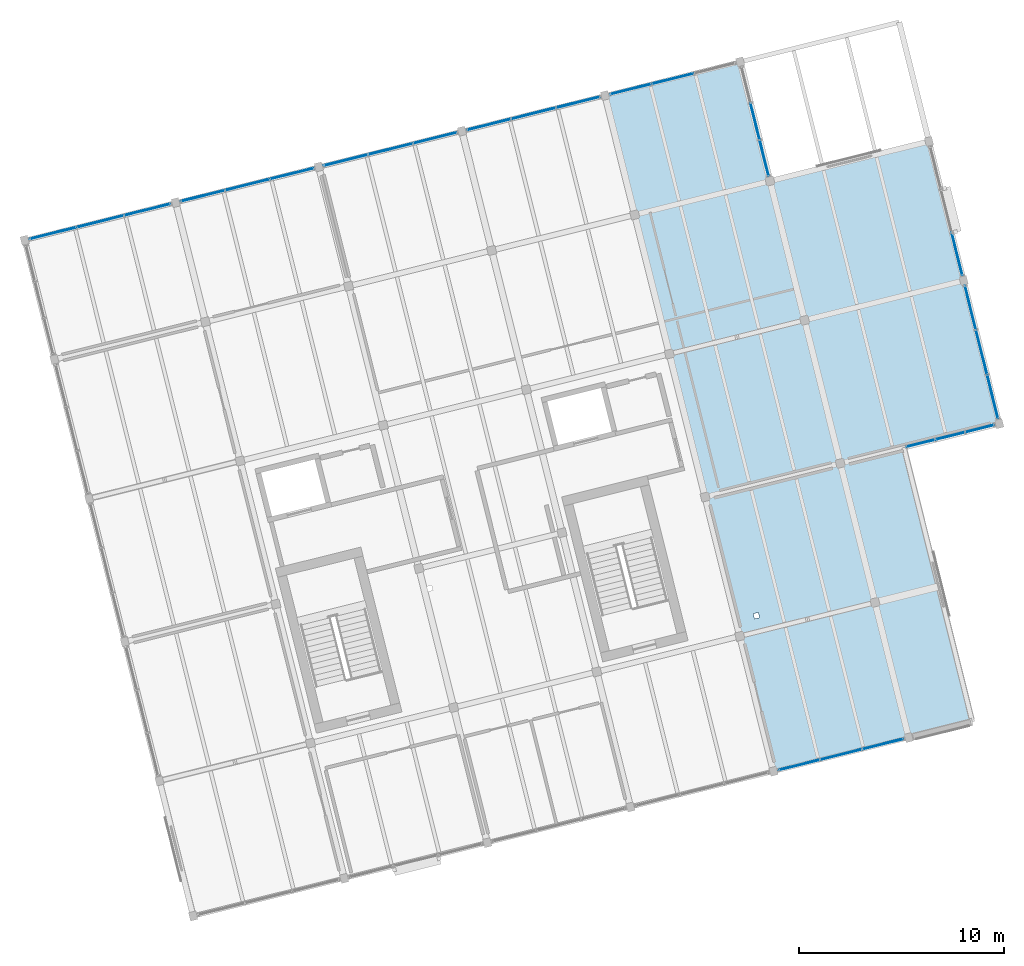
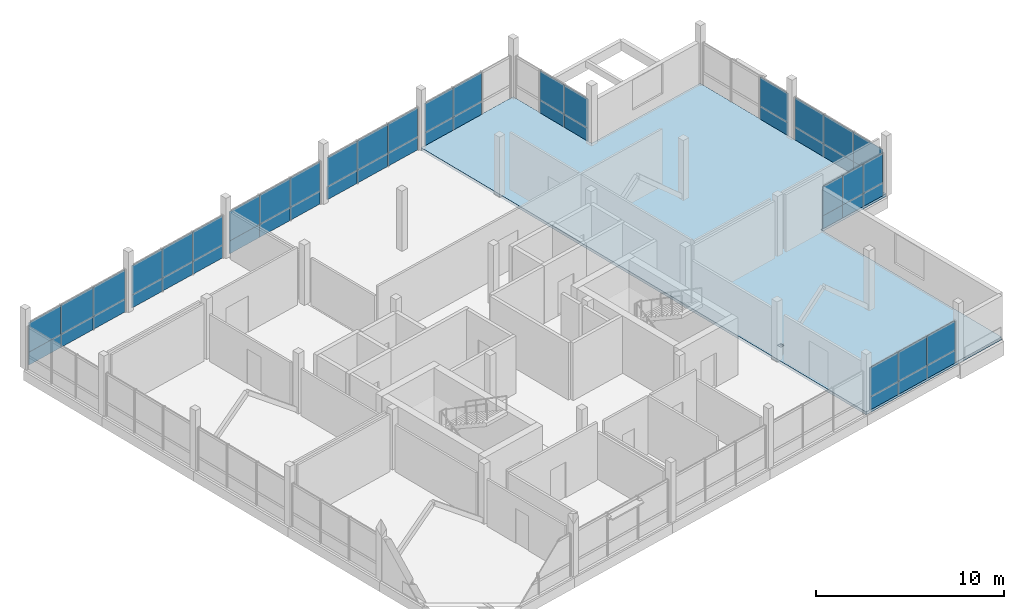
# One storey, part 23 of 27: 52 plates, 1 slab, 10 elements without a shape of their own.
"""IFC4 building model written with IfcOpenShell, lengths in metres."""

from ifc_helpers import new_model, si_unit, direction, frame, origin, origin_2d, place, context, subcontext, project, spatial, polyline, rectangle, outline, extrude, material, layer, layer_set, type_object, element, aggregate, save


model = new_model("IFC4")

# Units and contexts
model_context = context("Model", 3, precision=1e-05, world=origin(), true_north=direction((0.0, 1.0)))
body_context = subcontext(model_context, "Body", "Model", "MODEL_VIEW")
ifc_project = project(units=[si_unit("LENGTHUNIT", "METRE"), si_unit("AREAUNIT", "SQUARE_METRE"), si_unit("VOLUMEUNIT", "CUBIC_METRE"), si_unit("PLANEANGLEUNIT", "RADIAN"), si_unit("MASSUNIT", "GRAM", prefix="KILO")], contexts=[model_context])

# Site, building, storey
site_placement = place(None, origin())
site = spatial("IfcSite", under=ifc_project, at=site_placement, CompositionType="ELEMENT")
building_placement = place(site_placement, origin())
building = spatial("IfcBuilding", under=site, at=building_placement, Name="Meriwether Solvik Hall", CompositionType="ELEMENT")
storey_placement = place(building_placement, frame((0.0, 0.0, 33.89990234375)))
storey = spatial("IfcBuildingStorey", under=building, at=storey_placement, Name="L08", CompositionType="ELEMENT", Elevation=33.89990234375)

# Curtain wall, plates
ifc_material_1 = material(Name="Thermally Broken Anodised Aluminium 6063-T6 and Low-E Glass", Category="aluminium")
ifc_layer_1 = layer(ifc_material_1, 0.179931640625)
ifc_layer_set_1 = layer_set([ifc_layer_1], Name="Thermally Broken Anodised Aluminium 6063-T6 and Low-E Glass")
curtain_wall_type_1 = type_object("IfcCurtainWallType", Name="CW-UNIT-G", PredefinedType="USERDEFINED", material=ifc_layer_set_1)
curtain_wall_1_placement = place(storey_placement, origin())
curtain_wall_1 = element("IfcCurtainWall", 1, at=curtain_wall_1_placement, inside=storey, type_object=curtain_wall_type_1, Name="Curtain Wall E6_B2 (L08)", ObjectType="UNITISED CURTAIN WALL", PredefinedType="USERDEFINED")
ifc_material_2 = material(Name="Low-Emissivity Double-Glazed Laminated Glass", Category="glass")
ifc_layer_2 = layer(ifc_material_2, 0.031982421875)
ifc_layer_set_2 = layer_set([ifc_layer_2], Name="Low-Emissivity Double-Glazed Laminated Glass")
plate_type_1 = type_object("IfcPlateType", Name="PLT-GLZ-180X185", PredefinedType="CURTAIN_PANEL", material=ifc_layer_set_2)
plate_1_placement = place(storey_placement, frame((76.0615234375, 78.101318359375, 0.837158203125), z_axis=(0.0, 0.0, 1.0), x_axis=(0.970295703518, 0.241921986879, 0.0)))
plate_1 = element("IfcPlate", 2, at=plate_1_placement, type_object=plate_type_1, Name="Low-E Vision Glazing Panel 1", PredefinedType="CURTAIN_PANEL", context=body_context, shape_type="SweptSolid", body=[
    extrude(rectangle(XDim=2.2060546875, YDim=0.033935546875, at=origin_2d()), origin(), (0.0, 0.0, 1.0), 1.89306640625),
])
plate_2_placement = place(storey_placement, frame((78.22802734375, 78.641357421875, 0.837158203125), z_axis=(0.0, 0.0, 1.0), x_axis=(0.970295703518, 0.241921986879, 0.0)))
plate_2 = element("IfcPlate", 3, at=plate_2_placement, type_object=plate_type_1, Name="Low-E Vision Glazing Panel 2", PredefinedType="CURTAIN_PANEL", context=body_context, shape_type="SweptSolid", body=[
    extrude(rectangle(XDim=2.243896484375, YDim=0.033935546875, at=origin_2d()), origin(), (0.0, 0.0, 1.0), 1.89306640625),
])
plate_3_placement = place(storey_placement, frame((80.394775390625, 79.181640625, 0.837158203125), z_axis=(0.0, 0.0, 1.0), x_axis=(0.970295703518, 0.241921986879, 0.0)))
plate_3 = element("IfcPlate", 4, at=plate_3_placement, type_object=plate_type_1, Name="Low-E Vision Glazing Panel 3", PredefinedType="CURTAIN_PANEL", context=body_context, shape_type="SweptSolid", body=[
    extrude(rectangle(XDim=2.2060546875, YDim=0.033935546875, at=origin_2d()), origin(), (0.0, 0.0, 1.0), 1.89306640625),
])

# Curtain wall, plate
ifc_material_3 = material(Name="Thermally Broken Anodised Aluminium 6063-T6 and Low-E Glass", Category="aluminium")
ifc_layer_3 = layer(ifc_material_3, 0.179931640625)
ifc_layer_set_3 = layer_set([ifc_layer_3], Name="Thermally Broken Anodised Aluminium 6063-T6 and Low-E Glass")
curtain_wall_type_2 = type_object("IfcCurtainWallType", Name="CW-UNIT-C", PredefinedType="USERDEFINED", material=ifc_layer_set_3)
curtain_wall_2_placement = place(storey_placement, origin())
curtain_wall_2 = element("IfcCurtainWall", 5, at=curtain_wall_2_placement, inside=storey, type_object=curtain_wall_type_2, Name="Curtain Wall E3_B1 (L08)", ObjectType="UNITISED CURTAIN WALL", PredefinedType="USERDEFINED")
ifc_material_4 = material(Name="Low-Emissivity Double-Glazed Laminated Glass", Category="glass")
ifc_layer_4 = layer(ifc_material_4, 0.031982421875)
ifc_layer_set_4 = layer_set([ifc_layer_4], Name="Low-Emissivity Double-Glazed Laminated Glass")
plate_type_2 = type_object("IfcPlateType", Name="PLT-GLZ-195X185", PredefinedType="CURTAIN_PANEL", material=ifc_layer_set_4)
plate_4_placement = place(storey_placement, frame((105.889892578125, 73.514892578125, 0.837158203125), z_axis=(0.0, 0.0, 1.0), x_axis=(0.241921751704, -0.970295762153, 0.0)))
plate_4 = element("IfcPlate", 6, at=plate_4_placement, type_object=plate_type_2, Name="Low-E Vision Glazing Panel 3", PredefinedType="CURTAIN_PANEL", context=body_context, shape_type="SweptSolid", body=[
    extrude(rectangle(XDim=2.139404296875, YDim=0.033935546875, at=origin_2d()), origin(), (0.0, 0.0, 1.0), 1.89306640625),
])

# Curtain wall, plates
ifc_material_5 = material(Name="Thermally Broken Anodised Aluminium 6063-T6 and Low-E Glass", Category="aluminium")
ifc_layer_5 = layer(ifc_material_5, 0.179931640625)
ifc_layer_set_5 = layer_set([ifc_layer_5], Name="Thermally Broken Anodised Aluminium 6063-T6 and Low-E Glass")
curtain_wall_type_3 = type_object("IfcCurtainWallType", Name="CW-UNIT-F", PredefinedType="USERDEFINED", material=ifc_layer_set_5)
curtain_wall_3_placement = place(storey_placement, origin())
curtain_wall_3 = element("IfcCurtainWall", 7, at=curtain_wall_3_placement, inside=storey, type_object=curtain_wall_type_3, Name="Curtain Wall E6_B1 (L08)", ObjectType="UNITISED CURTAIN WALL", PredefinedType="USERDEFINED")
plate_5_placement = place(storey_placement, frame((69.0751953125, 76.359375, 0.837158203125), z_axis=(0.0, 0.0, 1.0), x_axis=(0.970295738259, 0.241921847539, 0.0)))
plate_5 = element("IfcPlate", 8, at=plate_5_placement, type_object=plate_type_2, Name="Low-E Vision Glazing Panel 1", PredefinedType="CURTAIN_PANEL", context=body_context, shape_type="SweptSolid", body=[
    extrude(rectangle(XDim=2.2060546875, YDim=0.033935546875, at=origin_2d()), origin(), (0.0, 0.0, 1.0), 1.89306640625),
])
plate_6_placement = place(storey_placement, frame((71.241943359375, 76.899658203125, 0.837158203125), z_axis=(0.0, 0.0, 1.0), x_axis=(0.970295738259, 0.241921847539, 0.0)))
plate_6 = element("IfcPlate", 9, at=plate_6_placement, type_object=plate_type_2, Name="Low-E Vision Glazing Panel 2", PredefinedType="CURTAIN_PANEL", context=body_context, shape_type="SweptSolid", body=[
    extrude(rectangle(XDim=2.243896484375, YDim=0.033935546875, at=origin_2d()), origin(), (0.0, 0.0, 1.0), 1.89306640625),
])
plate_7_placement = place(storey_placement, frame((73.40869140625, 77.439697265625, 0.837158203125), z_axis=(0.0, 0.0, 1.0), x_axis=(0.970295738259, 0.241921847539, 0.0)))
plate_7 = element("IfcPlate", 10, at=plate_7_placement, type_object=plate_type_2, Name="Low-E Vision Glazing Panel 3", PredefinedType="CURTAIN_PANEL", context=body_context, shape_type="SweptSolid", body=[
    extrude(rectangle(XDim=2.2060546875, YDim=0.033935546875, at=origin_2d()), origin(), (0.0, 0.0, 1.0), 1.89306640625),
])

curtain_wall_4_placement = place(storey_placement, origin())
curtain_wall_4 = element("IfcCurtainWall", 11, at=curtain_wall_4_placement, inside=storey, type_object=curtain_wall_type_2, Name="Curtain Wall E0_B4 (L08)", ObjectType="UNITISED CURTAIN WALL", PredefinedType="USERDEFINED")
ifc_material_6 = material(Name="Low-Emissivity Double-Glazed Laminated Glass", Category="glass")
ifc_layer_6 = layer(ifc_material_6, 0.031982421875)
ifc_layer_set_6 = layer_set([ifc_layer_6], Name="Low-Emissivity Double-Glazed Laminated Glass")
plate_type_3 = type_object("IfcPlateType", Name="PLT-GLZ-210X195", PredefinedType="CURTAIN_PANEL", material=ifc_layer_set_6)
plate_8_placement = place(storey_placement, frame((102.26904296875, 49.5947265625, 0.837158203125), z_axis=(0.0, 0.0, 1.0), x_axis=(-0.97029570448, -0.241921983017, 0.0)))
plate_8 = element("IfcPlate", 12, at=plate_8_placement, type_object=plate_type_3, Name="Low-E Vision Glazing Panel 1", PredefinedType="CURTAIN_PANEL", context=body_context, shape_type="SweptSolid", body=[
    extrude(rectangle(XDim=2.07275390625, YDim=0.033935546875, at=origin_2d()), origin(), (0.0, 0.0, 1.0), 1.89306640625),
])
plate_9_placement = place(storey_placement, frame((100.231689453125, 49.086669921875, 0.837158203125), z_axis=(0.0, 0.0, 1.0), x_axis=(-0.97029570448, -0.241921983017, 0.0)))
plate_9 = element("IfcPlate", 13, at=plate_9_placement, type_object=plate_type_3, Name="Low-E Vision Glazing Panel 2", PredefinedType="CURTAIN_PANEL", context=body_context, shape_type="SweptSolid", body=[
    extrude(rectangle(XDim=2.110595703125, YDim=0.033935546875, at=origin_2d()), origin(), (0.0, 0.0, 1.0), 1.89306640625),
])
plate_10_placement = place(storey_placement, frame((98.1943359375, 48.57861328125, 0.837158203125), z_axis=(0.0, 0.0, 1.0), x_axis=(-0.97029570448, -0.241921983017, 0.0)))
plate_10 = element("IfcPlate", 14, at=plate_10_placement, type_object=plate_type_3, Name="Low-E Vision Glazing Panel 3", PredefinedType="CURTAIN_PANEL", context=body_context, shape_type="SweptSolid", body=[
    extrude(rectangle(XDim=2.07275390625, YDim=0.033935546875, at=origin_2d()), origin(), (0.0, 0.0, 1.0), 1.89306640625),
])

ifc_material_7 = material(Name="Thermally Broken Anodised Aluminium 6063-T6 and Low-E Glass", Category="aluminium")
ifc_layer_7 = layer(ifc_material_7, 0.179931640625)
ifc_layer_set_7 = layer_set([ifc_layer_7], Name="Thermally Broken Anodised Aluminium 6063-T6 and Low-E Glass")
curtain_wall_type_4 = type_object("IfcCurtainWallType", Name="CW-UNIT-A", PredefinedType="USERDEFINED", material=ifc_layer_set_7)
curtain_wall_5_placement = place(storey_placement, origin())
curtain_wall_5 = element("IfcCurtainWall", 15, at=curtain_wall_5_placement, inside=storey, type_object=curtain_wall_type_4, Name="Curtain Wall E2_B0 (L08)", ObjectType="UNITISED CURTAIN WALL", PredefinedType="USERDEFINED")
plate_11_placement = place(storey_placement, frame((106.9931640625, 64.994873046875, 0.837158203125), z_axis=(0.0, 0.0, 1.0), x_axis=(-0.970295707609, -0.241921970469, 0.0)))
plate_11 = element("IfcPlate", 16, at=plate_11_placement, type_object=plate_type_3, Name="Low-E Vision Glazing Panel 1", PredefinedType="CURTAIN_PANEL", context=body_context, shape_type="SweptSolid", body=[
    extrude(rectangle(XDim=1.453369140625, YDim=0.033935546875, at=origin_2d()), origin(), (0.0, 0.0, 1.0), 1.89306640625),
])
plate_12_placement = place(storey_placement, frame((105.556884765625, 64.636962890625, 0.837158203125), z_axis=(0.0, 0.0, 1.0), x_axis=(-0.970295707609, -0.241921970469, 0.0)))
plate_12 = element("IfcPlate", 17, at=plate_12_placement, type_object=plate_type_3, Name="Low-E Vision Glazing Panel 2", PredefinedType="CURTAIN_PANEL", context=body_context, shape_type="SweptSolid", body=[
    extrude(rectangle(XDim=1.4912109375, YDim=0.033935546875, at=origin_2d()), origin(), (0.0, 0.0, 1.0), 1.89306640625),
])
plate_13_placement = place(storey_placement, frame((104.12060546875, 64.27880859375, 0.837158203125), z_axis=(0.0, 0.0, 1.0), x_axis=(-0.970295707609, -0.241921970469, 0.0)))
plate_13 = element("IfcPlate", 18, at=plate_13_placement, type_object=plate_type_3, Name="Low-E Vision Glazing Panel 3", PredefinedType="CURTAIN_PANEL", context=body_context, shape_type="SweptSolid", body=[
    extrude(rectangle(XDim=1.453369140625, YDim=0.033935546875, at=origin_2d()), origin(), (0.0, 0.0, 1.0), 1.89306640625),
])

ifc_material_8 = material(Name="Thermally Broken Anodised Aluminium 6063-T6 and Low-E Glass", Category="aluminium")
ifc_layer_8 = layer(ifc_material_8, 0.179931640625)
ifc_layer_set_8 = layer_set([ifc_layer_8], Name="Thermally Broken Anodised Aluminium 6063-T6 and Low-E Glass")
curtain_wall_type_5 = type_object("IfcCurtainWallType", Name="CW-UNIT-B", PredefinedType="USERDEFINED", material=ifc_layer_set_8)
curtain_wall_6_placement = place(storey_placement, origin())
curtain_wall_6 = element("IfcCurtainWall", 19, at=curtain_wall_6_placement, inside=storey, type_object=curtain_wall_type_5, Name="Curtain Wall E3_B0 (L08)", ObjectType="UNITISED CURTAIN WALL", PredefinedType="USERDEFINED")
plate_14_placement = place(storey_placement, frame((106.54345703125, 70.894287109375, 0.837158203125), z_axis=(0.0, 0.0, 1.0), x_axis=(0.241921847539, -0.970295738259, 0.0)))
plate_14 = element("IfcPlate", 20, at=plate_14_placement, type_object=plate_type_3, Name="Low-E Vision Glazing Panel 1", PredefinedType="CURTAIN_PANEL", context=body_context, shape_type="SweptSolid", body=[
    extrude(rectangle(XDim=2.2060546875, YDim=0.033935546875, at=origin_2d()), origin(), (0.0, 0.0, 1.0), 1.89306640625),
])
plate_15_placement = place(storey_placement, frame((107.08349609375, 68.727783203125, 0.837158203125), z_axis=(0.0, 0.0, 1.0), x_axis=(0.241921847539, -0.970295738259, 0.0)))
plate_15 = element("IfcPlate", 21, at=plate_15_placement, type_object=plate_type_3, Name="Low-E Vision Glazing Panel 2", PredefinedType="CURTAIN_PANEL", context=body_context, shape_type="SweptSolid", body=[
    extrude(rectangle(XDim=2.243896484375, YDim=0.033935546875, at=origin_2d()), origin(), (0.0, 0.0, 1.0), 1.89306640625),
])
plate_16_placement = place(storey_placement, frame((107.623779296875, 66.56103515625, 0.837158203125), z_axis=(0.0, 0.0, 1.0), x_axis=(0.241921847539, -0.970295738259, 0.0)))
plate_16 = element("IfcPlate", 22, at=plate_16_placement, type_object=plate_type_3, Name="Low-E Vision Glazing Panel 3", PredefinedType="CURTAIN_PANEL", context=body_context, shape_type="SweptSolid", body=[
    extrude(rectangle(XDim=2.2060546875, YDim=0.033935546875, at=origin_2d()), origin(), (0.0, 0.0, 1.0), 1.89306640625),
])

ifc_material_9 = material(Name="Thermally Broken Anodised Aluminium 6063-T6 and Low-E Glass", Category="aluminium")
ifc_layer_9 = layer(ifc_material_9, 0.179931640625)
ifc_layer_set_9 = layer_set([ifc_layer_9], Name="Thermally Broken Anodised Aluminium 6063-T6 and Low-E Glass")
curtain_wall_type_6 = type_object("IfcCurtainWallType", Name="CW-UNIT-D", PredefinedType="USERDEFINED", material=ifc_layer_set_9)
curtain_wall_7_placement = place(storey_placement, origin())
curtain_wall_7 = element("IfcCurtainWall", 23, at=curtain_wall_7_placement, inside=storey, type_object=curtain_wall_type_6, Name="Curtain Wall E5_B0 (L08)", ObjectType="UNITISED CURTAIN WALL", PredefinedType="USERDEFINED")
plate_17_placement = place(storey_placement, frame((96.031005859375, 79.98828125, 0.837158203125), z_axis=(0.0, 0.0, 1.0), x_axis=(0.241921889131, -0.970295727889, 0.0)))
plate_17 = element("IfcPlate", 24, at=plate_17_placement, type_object=plate_type_3, Name="Low-E Vision Glazing Panel 2", PredefinedType="CURTAIN_PANEL", context=body_context, shape_type="SweptSolid", body=[
    extrude(rectangle(XDim=1.843994140625, YDim=0.033935546875, at=origin_2d()), origin(), (0.0, 0.0, 1.0), 1.89306640625),
])
plate_18_placement = place(storey_placement, frame((96.474609375, 78.209716796875, 0.837158203125), z_axis=(0.0, 0.0, 1.0), x_axis=(0.241921889131, -0.970295727889, 0.0)))
plate_18 = element("IfcPlate", 25, at=plate_18_placement, type_object=plate_type_3, Name="Low-E Vision Glazing Panel 3", PredefinedType="CURTAIN_PANEL", context=body_context, shape_type="SweptSolid", body=[
    extrude(rectangle(XDim=1.805908203125, YDim=0.033935546875, at=origin_2d()), origin(), (0.0, 0.0, 1.0), 1.89306640625),
])

ifc_material_10 = material(Name="Thermally Broken Anodised Aluminium 6063-T6 and Low-E Glass", Category="aluminium")
ifc_layer_10 = layer(ifc_material_10, 0.179931640625)
ifc_layer_set_10 = layer_set([ifc_layer_10], Name="Thermally Broken Anodised Aluminium 6063-T6 and Low-E Glass")
curtain_wall_type_7 = type_object("IfcCurtainWallType", Name="CW-UNIT-E", PredefinedType="USERDEFINED", material=ifc_layer_set_10)
curtain_wall_8_placement = place(storey_placement, origin())
curtain_wall_8 = element("IfcCurtainWall", 26, at=curtain_wall_8_placement, inside=storey, type_object=curtain_wall_type_7, Name="Curtain Wall E6_B0 (L08)", ObjectType="UNITISED CURTAIN WALL", PredefinedType="USERDEFINED")
plate_19_placement = place(storey_placement, frame((61.765625, 74.536865234375, 0.837158203125), z_axis=(0.0, 0.0, 1.0), x_axis=(0.970295727285, 0.241921891552, 0.0)))
plate_19 = element("IfcPlate", 27, at=plate_19_placement, type_object=plate_type_3, Name="Low-E Vision Glazing Panel 1", PredefinedType="CURTAIN_PANEL", context=body_context, shape_type="SweptSolid", body=[
    extrude(rectangle(XDim=2.33935546875, YDim=0.033935546875, at=origin_2d()), origin(), (0.0, 0.0, 1.0), 1.89306640625),
])
plate_20_placement = place(storey_placement, frame((64.061767578125, 75.109375, 0.837158203125), z_axis=(0.0, 0.0, 1.0), x_axis=(0.970295727285, 0.241921891552, 0.0)))
plate_20 = element("IfcPlate", 28, at=plate_20_placement, type_object=plate_type_3, Name="Low-E Vision Glazing Panel 2", PredefinedType="CURTAIN_PANEL", context=body_context, shape_type="SweptSolid", body=[
    extrude(rectangle(XDim=2.377197265625, YDim=0.033935546875, at=origin_2d()), origin(), (0.0, 0.0, 1.0), 1.89306640625),
])
plate_21_placement = place(storey_placement, frame((66.35791015625, 75.681884765625, 0.837158203125), z_axis=(0.0, 0.0, 1.0), x_axis=(0.970295727285, 0.241921891552, 0.0)))
plate_21 = element("IfcPlate", 29, at=plate_21_placement, type_object=plate_type_3, Name="Low-E Vision Glazing Panel 3", PredefinedType="CURTAIN_PANEL", context=body_context, shape_type="SweptSolid", body=[
    extrude(rectangle(XDim=2.33935546875, YDim=0.033935546875, at=origin_2d()), origin(), (0.0, 0.0, 1.0), 1.89306640625),
])

curtain_wall_9_placement = place(storey_placement, origin())
curtain_wall_9 = element("IfcCurtainWall", 30, at=curtain_wall_9_placement, inside=storey, type_object=curtain_wall_type_5, Name="Curtain Wall E6_B4 (L08)", ObjectType="UNITISED CURTAIN WALL", PredefinedType="USERDEFINED")
plate_22_placement = place(storey_placement, frame((89.968994140625, 81.56884765625, 0.837158203125), z_axis=(0.0, 0.0, 1.0), x_axis=(0.970295750618, 0.24192179797, 0.0)))
plate_22 = element("IfcPlate", 31, at=plate_22_placement, type_object=plate_type_3, Name="Low-E Vision Glazing Panel 1", PredefinedType="CURTAIN_PANEL", context=body_context, shape_type="SweptSolid", body=[
    extrude(rectangle(XDim=2.07275390625, YDim=0.033935546875, at=origin_2d()), origin(), (0.0, 0.0, 1.0), 1.89306640625),
])
plate_23_placement = place(storey_placement, frame((92.00634765625, 82.07666015625, 0.837158203125), z_axis=(0.0, 0.0, 1.0), x_axis=(0.970295750618, 0.24192179797, 0.0)))
plate_23 = element("IfcPlate", 32, at=plate_23_placement, type_object=plate_type_3, Name="Low-E Vision Glazing Panel 2", PredefinedType="CURTAIN_PANEL", context=body_context, shape_type="SweptSolid", body=[
    extrude(rectangle(XDim=2.110595703125, YDim=0.033935546875, at=origin_2d()), origin(), (0.0, 0.0, 1.0), 1.89306640625),
])

curtain_wall_10_placement = place(storey_placement, origin())
curtain_wall_10 = element("IfcCurtainWall", 33, at=curtain_wall_10_placement, inside=storey, type_object=curtain_wall_type_4, Name="Curtain Wall E6_B3 (L08)", ObjectType="UNITISED CURTAIN WALL", PredefinedType="USERDEFINED")
ifc_material_11 = material(Name="Low-Emissivity Double-Glazed Laminated Glass", Category="glass")
ifc_layer_11 = layer(ifc_material_11, 0.031982421875)
ifc_layer_set_11 = layer_set([ifc_layer_11], Name="Low-Emissivity Double-Glazed Laminated Glass")
plate_type_4 = type_object("IfcPlateType", Name="PLT-GLZ-225X195", PredefinedType="CURTAIN_PANEL", material=ifc_layer_set_11)
plate_24_placement = place(storey_placement, frame((83.047607421875, 79.843017578125, 0.837158203125), z_axis=(0.0, 0.0, 1.0), x_axis=(0.970295738259, 0.241921847539, 0.0)))
plate_24 = element("IfcPlate", 34, at=plate_24_placement, type_object=plate_type_4, Name="Low-E Vision Glazing Panel 1", PredefinedType="CURTAIN_PANEL", context=body_context, shape_type="SweptSolid", body=[
    extrude(rectangle(XDim=2.2060546875, YDim=0.033935546875, at=origin_2d()), origin(), (0.0, 0.0, 1.0), 1.89306640625),
])
plate_25_placement = place(storey_placement, frame((85.214111328125, 80.38330078125, 0.837158203125), z_axis=(0.0, 0.0, 1.0), x_axis=(0.970295738259, 0.241921847539, 0.0)))
plate_25 = element("IfcPlate", 35, at=plate_25_placement, type_object=plate_type_4, Name="Low-E Vision Glazing Panel 2", PredefinedType="CURTAIN_PANEL", context=body_context, shape_type="SweptSolid", body=[
    extrude(rectangle(XDim=2.243896484375, YDim=0.033935546875, at=origin_2d()), origin(), (0.0, 0.0, 1.0), 1.89306640625),
])
plate_26_placement = place(storey_placement, frame((87.380859375, 80.92333984375, 0.837158203125), z_axis=(0.0, 0.0, 1.0), x_axis=(0.970295738259, 0.241921847539, 0.0)))
plate_26 = element("IfcPlate", 36, at=plate_26_placement, type_object=plate_type_4, Name="Low-E Vision Glazing Panel 3", PredefinedType="CURTAIN_PANEL", context=body_context, shape_type="SweptSolid", body=[
    extrude(rectangle(XDim=2.2060546875, YDim=0.033935546875, at=origin_2d()), origin(), (0.0, 0.0, 1.0), 1.89306640625),
])

# Plate
ifc_material_12 = material(Name="Mineral-Wool Insulated Anodised Aluminium 6063-T6", Category="aluminium")
ifc_layer_12 = layer(ifc_material_12, 0.044921875)
ifc_layer_set_12 = layer_set([ifc_layer_12], Name="Mineral-Wool Insulated Anodised Aluminium 6063-T6")
plate_type_5 = type_object("IfcPlateType", Name="PLT-SPN-225X085", PredefinedType="CURTAIN_PANEL", material=ifc_layer_set_12)
plate_27_placement = place(storey_placement, frame((102.26904296875, 49.5947265625, 0.000244140625), z_axis=(0.0, 0.0, 1.0), x_axis=(-0.97029570448, -0.241921983017, 0.0)))
plate_27 = element("IfcPlate", 37, at=plate_27_placement, type_object=plate_type_5, Name="Insulated Spandrel Panel 1", PredefinedType="CURTAIN_PANEL", context=body_context, shape_type="SweptSolid", body=[
    extrude(rectangle(XDim=2.07275390625, YDim=0.044921875, at=origin_2d()), origin(), (0.0, 0.0, 1.0), 0.8369140625),
])

plate_28_placement = place(storey_placement, frame((100.231689453125, 49.086669921875, 0.000244140625), z_axis=(0.0, 0.0, 1.0), x_axis=(-0.97029570448, -0.241921983017, 0.0)))
plate_28 = element("IfcPlate", 38, at=plate_28_placement, type_object=plate_type_5, Name="Insulated Spandrel Panel 2", PredefinedType="CURTAIN_PANEL", context=body_context, shape_type="SweptSolid", body=[
    extrude(rectangle(XDim=2.110595703125, YDim=0.044921875, at=origin_2d()), origin(), (0.0, 0.0, 1.0), 0.8369140625),
])

plate_29_placement = place(storey_placement, frame((98.1943359375, 48.57861328125, 0.000244140625), z_axis=(0.0, 0.0, 1.0), x_axis=(-0.97029570448, -0.241921983017, 0.0)))
plate_29 = element("IfcPlate", 39, at=plate_29_placement, type_object=plate_type_5, Name="Insulated Spandrel Panel 3", PredefinedType="CURTAIN_PANEL", context=body_context, shape_type="SweptSolid", body=[
    extrude(rectangle(XDim=2.07275390625, YDim=0.044921875, at=origin_2d()), origin(), (0.0, 0.0, 1.0), 0.8369140625),
])

aggregate(curtain_wall_4, [plate_27, plate_8, plate_28, plate_9, plate_29, plate_10])

plate_30_placement = place(storey_placement, frame((106.9931640625, 64.994873046875, 0.000244140625), z_axis=(0.0, 0.0, 1.0), x_axis=(-0.970295707609, -0.241921970469, 0.0)))
plate_30 = element("IfcPlate", 40, at=plate_30_placement, type_object=plate_type_5, Name="Insulated Spandrel Panel 1", PredefinedType="CURTAIN_PANEL", context=body_context, shape_type="SweptSolid", body=[
    extrude(rectangle(XDim=1.453369140625, YDim=0.044921875, at=origin_2d()), origin(), (0.0, 0.0, 1.0), 0.8369140625),
])

plate_31_placement = place(storey_placement, frame((105.556884765625, 64.636962890625, 0.000244140625), z_axis=(0.0, 0.0, 1.0), x_axis=(-0.970295707609, -0.241921970469, 0.0)))
plate_31 = element("IfcPlate", 41, at=plate_31_placement, type_object=plate_type_5, Name="Insulated Spandrel Panel 2", PredefinedType="CURTAIN_PANEL", context=body_context, shape_type="SweptSolid", body=[
    extrude(rectangle(XDim=1.4912109375, YDim=0.044921875, at=origin_2d()), origin(), (0.0, 0.0, 1.0), 0.8369140625),
])

plate_32_placement = place(storey_placement, frame((104.12060546875, 64.27880859375, 0.000244140625), z_axis=(0.0, 0.0, 1.0), x_axis=(-0.970295707609, -0.241921970469, 0.0)))
plate_32 = element("IfcPlate", 42, at=plate_32_placement, type_object=plate_type_5, Name="Insulated Spandrel Panel 3", PredefinedType="CURTAIN_PANEL", context=body_context, shape_type="SweptSolid", body=[
    extrude(rectangle(XDim=1.453369140625, YDim=0.044921875, at=origin_2d()), origin(), (0.0, 0.0, 1.0), 0.8369140625),
])

aggregate(curtain_wall_5, [plate_30, plate_11, plate_31, plate_12, plate_32, plate_13])

plate_33_placement = place(storey_placement, frame((106.54345703125, 70.894287109375, 0.000244140625), z_axis=(0.0, 0.0, 1.0), x_axis=(0.241921847539, -0.970295738259, 0.0)))
plate_33 = element("IfcPlate", 43, at=plate_33_placement, type_object=plate_type_5, Name="Insulated Spandrel Panel 1", PredefinedType="CURTAIN_PANEL", context=body_context, shape_type="SweptSolid", body=[
    extrude(rectangle(XDim=2.2060546875, YDim=0.044921875, at=origin_2d()), origin(), (0.0, 0.0, 1.0), 0.8369140625),
])

plate_34_placement = place(storey_placement, frame((107.08349609375, 68.727783203125, 0.000244140625), z_axis=(0.0, 0.0, 1.0), x_axis=(0.241921847539, -0.970295738259, 0.0)))
plate_34 = element("IfcPlate", 44, at=plate_34_placement, type_object=plate_type_5, Name="Insulated Spandrel Panel 2", PredefinedType="CURTAIN_PANEL", context=body_context, shape_type="SweptSolid", body=[
    extrude(rectangle(XDim=2.243896484375, YDim=0.044921875, at=origin_2d()), origin(), (0.0, 0.0, 1.0), 0.8369140625),
])

plate_35_placement = place(storey_placement, frame((107.623779296875, 66.56103515625, 0.000244140625), z_axis=(0.0, 0.0, 1.0), x_axis=(0.241921847539, -0.970295738259, 0.0)))
plate_35 = element("IfcPlate", 45, at=plate_35_placement, type_object=plate_type_5, Name="Insulated Spandrel Panel 3", PredefinedType="CURTAIN_PANEL", context=body_context, shape_type="SweptSolid", body=[
    extrude(rectangle(XDim=2.2060546875, YDim=0.044921875, at=origin_2d()), origin(), (0.0, 0.0, 1.0), 0.8369140625),
])

aggregate(curtain_wall_6, [plate_33, plate_14, plate_34, plate_15, plate_35, plate_16])

plate_36_placement = place(storey_placement, frame((105.889892578125, 73.514892578125, 0.000244140625), z_axis=(0.0, 0.0, 1.0), x_axis=(0.241921751704, -0.970295762153, 0.0)))
plate_36 = element("IfcPlate", 46, at=plate_36_placement, type_object=plate_type_5, Name="Insulated Spandrel Panel 3", PredefinedType="CURTAIN_PANEL", context=body_context, shape_type="SweptSolid", body=[
    extrude(rectangle(XDim=2.139404296875, YDim=0.044921875, at=origin_2d()), origin(), (0.0, 0.0, 1.0), 0.8369140625),
])

aggregate(curtain_wall_2, [plate_36, plate_4])

plate_37_placement = place(storey_placement, frame((96.031005859375, 79.98828125, 0.000244140625), z_axis=(0.0, 0.0, 1.0), x_axis=(0.241921889131, -0.970295727889, 0.0)))
plate_37 = element("IfcPlate", 47, at=plate_37_placement, type_object=plate_type_5, Name="Insulated Spandrel Panel 2", PredefinedType="CURTAIN_PANEL", context=body_context, shape_type="SweptSolid", body=[
    extrude(rectangle(XDim=1.843994140625, YDim=0.044921875, at=origin_2d()), origin(), (0.0, 0.0, 1.0), 0.8369140625),
])

plate_38_placement = place(storey_placement, frame((96.474609375, 78.209716796875, 0.000244140625), z_axis=(0.0, 0.0, 1.0), x_axis=(0.241921889131, -0.970295727889, 0.0)))
plate_38 = element("IfcPlate", 48, at=plate_38_placement, type_object=plate_type_5, Name="Insulated Spandrel Panel 3", PredefinedType="CURTAIN_PANEL", context=body_context, shape_type="SweptSolid", body=[
    extrude(rectangle(XDim=1.805908203125, YDim=0.044921875, at=origin_2d()), origin(), (0.0, 0.0, 1.0), 0.8369140625),
])

aggregate(curtain_wall_7, [plate_37, plate_17, plate_38, plate_18])

plate_39_placement = place(storey_placement, frame((61.765625, 74.536865234375, 0.000244140625), z_axis=(0.0, 0.0, 1.0), x_axis=(0.970295727285, 0.241921891552, 0.0)))
plate_39 = element("IfcPlate", 49, at=plate_39_placement, type_object=plate_type_5, Name="Insulated Spandrel Panel 1", PredefinedType="CURTAIN_PANEL", context=body_context, shape_type="SweptSolid", body=[
    extrude(rectangle(XDim=2.33935546875, YDim=0.044921875, at=origin_2d()), origin(), (0.0, 0.0, 1.0), 0.8369140625),
])

plate_40_placement = place(storey_placement, frame((64.061767578125, 75.109375, 0.000244140625), z_axis=(0.0, 0.0, 1.0), x_axis=(0.970295727285, 0.241921891552, 0.0)))
plate_40 = element("IfcPlate", 50, at=plate_40_placement, type_object=plate_type_5, Name="Insulated Spandrel Panel 2", PredefinedType="CURTAIN_PANEL", context=body_context, shape_type="SweptSolid", body=[
    extrude(rectangle(XDim=2.377197265625, YDim=0.044921875, at=origin_2d()), origin(), (0.0, 0.0, 1.0), 0.8369140625),
])

plate_41_placement = place(storey_placement, frame((66.35791015625, 75.681884765625, 0.000244140625), z_axis=(0.0, 0.0, 1.0), x_axis=(0.970295727285, 0.241921891552, 0.0)))
plate_41 = element("IfcPlate", 51, at=plate_41_placement, type_object=plate_type_5, Name="Insulated Spandrel Panel 3", PredefinedType="CURTAIN_PANEL", context=body_context, shape_type="SweptSolid", body=[
    extrude(rectangle(XDim=2.33935546875, YDim=0.044921875, at=origin_2d()), origin(), (0.0, 0.0, 1.0), 0.8369140625),
])

aggregate(curtain_wall_8, [plate_39, plate_19, plate_40, plate_20, plate_41, plate_21])

plate_42_placement = place(storey_placement, frame((69.0751953125, 76.359375, 0.000244140625), z_axis=(0.0, 0.0, 1.0), x_axis=(0.970295738259, 0.241921847539, 0.0)))
plate_42 = element("IfcPlate", 52, at=plate_42_placement, type_object=plate_type_5, Name="Insulated Spandrel Panel 1", PredefinedType="CURTAIN_PANEL", context=body_context, shape_type="SweptSolid", body=[
    extrude(rectangle(XDim=2.2060546875, YDim=0.044921875, at=origin_2d()), origin(), (0.0, 0.0, 1.0), 0.8369140625),
])

plate_43_placement = place(storey_placement, frame((71.241943359375, 76.899658203125, 0.000244140625), z_axis=(0.0, 0.0, 1.0), x_axis=(0.970295738259, 0.241921847539, 0.0)))
plate_43 = element("IfcPlate", 53, at=plate_43_placement, type_object=plate_type_5, Name="Insulated Spandrel Panel 2", PredefinedType="CURTAIN_PANEL", context=body_context, shape_type="SweptSolid", body=[
    extrude(rectangle(XDim=2.243896484375, YDim=0.044921875, at=origin_2d()), origin(), (0.0, 0.0, 1.0), 0.8369140625),
])

plate_44_placement = place(storey_placement, frame((73.40869140625, 77.439697265625, 0.000244140625), z_axis=(0.0, 0.0, 1.0), x_axis=(0.970295738259, 0.241921847539, 0.0)))
plate_44 = element("IfcPlate", 54, at=plate_44_placement, type_object=plate_type_5, Name="Insulated Spandrel Panel 3", PredefinedType="CURTAIN_PANEL", context=body_context, shape_type="SweptSolid", body=[
    extrude(rectangle(XDim=2.2060546875, YDim=0.044921875, at=origin_2d()), origin(), (0.0, 0.0, 1.0), 0.8369140625),
])

aggregate(curtain_wall_3, [plate_42, plate_5, plate_43, plate_6, plate_44, plate_7])

plate_45_placement = place(storey_placement, frame((76.0615234375, 78.101318359375, 0.000244140625), z_axis=(0.0, 0.0, 1.0), x_axis=(0.970295703518, 0.241921986879, 0.0)))
plate_45 = element("IfcPlate", 55, at=plate_45_placement, type_object=plate_type_5, Name="Insulated Spandrel Panel 1", PredefinedType="CURTAIN_PANEL", context=body_context, shape_type="SweptSolid", body=[
    extrude(rectangle(XDim=2.2060546875, YDim=0.044921875, at=origin_2d()), origin(), (0.0, 0.0, 1.0), 0.8369140625),
])

plate_46_placement = place(storey_placement, frame((78.22802734375, 78.641357421875, 0.000244140625), z_axis=(0.0, 0.0, 1.0), x_axis=(0.970295703518, 0.241921986879, 0.0)))
plate_46 = element("IfcPlate", 56, at=plate_46_placement, type_object=plate_type_5, Name="Insulated Spandrel Panel 2", PredefinedType="CURTAIN_PANEL", context=body_context, shape_type="SweptSolid", body=[
    extrude(rectangle(XDim=2.243896484375, YDim=0.044921875, at=origin_2d()), origin(), (0.0, 0.0, 1.0), 0.8369140625),
])

plate_47_placement = place(storey_placement, frame((80.394775390625, 79.181640625, 0.000244140625), z_axis=(0.0, 0.0, 1.0), x_axis=(0.970295703518, 0.241921986879, 0.0)))
plate_47 = element("IfcPlate", 57, at=plate_47_placement, type_object=plate_type_5, Name="Insulated Spandrel Panel 3", PredefinedType="CURTAIN_PANEL", context=body_context, shape_type="SweptSolid", body=[
    extrude(rectangle(XDim=2.2060546875, YDim=0.044921875, at=origin_2d()), origin(), (0.0, 0.0, 1.0), 0.8369140625),
])

aggregate(curtain_wall_1, [plate_45, plate_1, plate_46, plate_2, plate_47, plate_3])

plate_48_placement = place(storey_placement, frame((83.047607421875, 79.843017578125, 0.000244140625), z_axis=(0.0, 0.0, 1.0), x_axis=(0.970295738259, 0.241921847539, 0.0)))
plate_48 = element("IfcPlate", 58, at=plate_48_placement, type_object=plate_type_5, Name="Insulated Spandrel Panel 1", PredefinedType="CURTAIN_PANEL", context=body_context, shape_type="SweptSolid", body=[
    extrude(rectangle(XDim=2.2060546875, YDim=0.044921875, at=origin_2d()), origin(), (0.0, 0.0, 1.0), 0.8369140625),
])

plate_49_placement = place(storey_placement, frame((85.214111328125, 80.38330078125, 0.000244140625), z_axis=(0.0, 0.0, 1.0), x_axis=(0.970295738259, 0.241921847539, 0.0)))
plate_49 = element("IfcPlate", 59, at=plate_49_placement, type_object=plate_type_5, Name="Insulated Spandrel Panel 2", PredefinedType="CURTAIN_PANEL", context=body_context, shape_type="SweptSolid", body=[
    extrude(rectangle(XDim=2.243896484375, YDim=0.044921875, at=origin_2d()), origin(), (0.0, 0.0, 1.0), 0.8369140625),
])

plate_50_placement = place(storey_placement, frame((87.380859375, 80.92333984375, 0.000244140625), z_axis=(0.0, 0.0, 1.0), x_axis=(0.970295738259, 0.241921847539, 0.0)))
plate_50 = element("IfcPlate", 60, at=plate_50_placement, type_object=plate_type_5, Name="Insulated Spandrel Panel 3", PredefinedType="CURTAIN_PANEL", context=body_context, shape_type="SweptSolid", body=[
    extrude(rectangle(XDim=2.2060546875, YDim=0.044921875, at=origin_2d()), origin(), (0.0, 0.0, 1.0), 0.8369140625),
])

aggregate(curtain_wall_10, [plate_48, plate_24, plate_49, plate_25, plate_50, plate_26])

plate_51_placement = place(storey_placement, frame((89.968994140625, 81.56884765625, 0.000244140625), z_axis=(0.0, 0.0, 1.0), x_axis=(0.970295750618, 0.24192179797, 0.0)))
plate_51 = element("IfcPlate", 61, at=plate_51_placement, type_object=plate_type_5, Name="Insulated Spandrel Panel 1", PredefinedType="CURTAIN_PANEL", context=body_context, shape_type="SweptSolid", body=[
    extrude(rectangle(XDim=2.07275390625, YDim=0.044921875, at=origin_2d()), origin(), (0.0, 0.0, 1.0), 0.8369140625),
])

plate_52_placement = place(storey_placement, frame((92.00634765625, 82.07666015625, 0.000244140625), z_axis=(0.0, 0.0, 1.0), x_axis=(0.970295750618, 0.24192179797, 0.0)))
plate_52 = element("IfcPlate", 62, at=plate_52_placement, type_object=plate_type_5, Name="Insulated Spandrel Panel 2", PredefinedType="CURTAIN_PANEL", context=body_context, shape_type="SweptSolid", body=[
    extrude(rectangle(XDim=2.110595703125, YDim=0.044921875, at=origin_2d()), origin(), (0.0, 0.0, 1.0), 0.8369140625),
])

aggregate(curtain_wall_9, [plate_51, plate_22, plate_52, plate_23])

# Slab
ifc_material_13 = material(Name="Cross-Laminated Timber PRG 320 E1", Category="wood")
ifc_layer_13 = layer(ifc_material_13, 0.179931640625)
ifc_layer_set_13 = layer_set([ifc_layer_13], Name="Cross-Laminated Timber PRG 320 E1")
slab_type = type_object("IfcSlabType", Name="SLB-CLT-180", PredefinedType="FLOOR", material=ifc_layer_set_13)
slab_placement = place(storey_placement, frame((0.0, 0.0, -0.179931640625)))
element("IfcSlab", 63, at=slab_placement, inside=storey, type_object=slab_type, Name="L08 Mass-Timber CLT Floor E", PredefinedType="FLOOR", context=body_context, shape_type="SweptSolid", body=[
    extrude(outline(polyline([(95.305419921875, 82.899169921875), (96.7568359375, 77.077392578125), (104.519287109375, 79.012939453125), (107.95458984375, 65.234619140625), (103.297119140625, 64.073486328125), (106.635498046875, 50.683349609375), (96.935546875, 48.264892578125), (88.710205078125, 81.2548828125), (95.305419921875, 82.899169921875)]), holes=[polyline([(95.943115234375, 55.953125), (96.003662109375, 55.71044921875), (96.24609375, 55.77099609375), (96.185791015625, 56.013671875), (95.943115234375, 55.953125)])]), origin(), (0.0, 0.0, 1.0), 0.179931640625),
])

save(model, "model.ifc")
